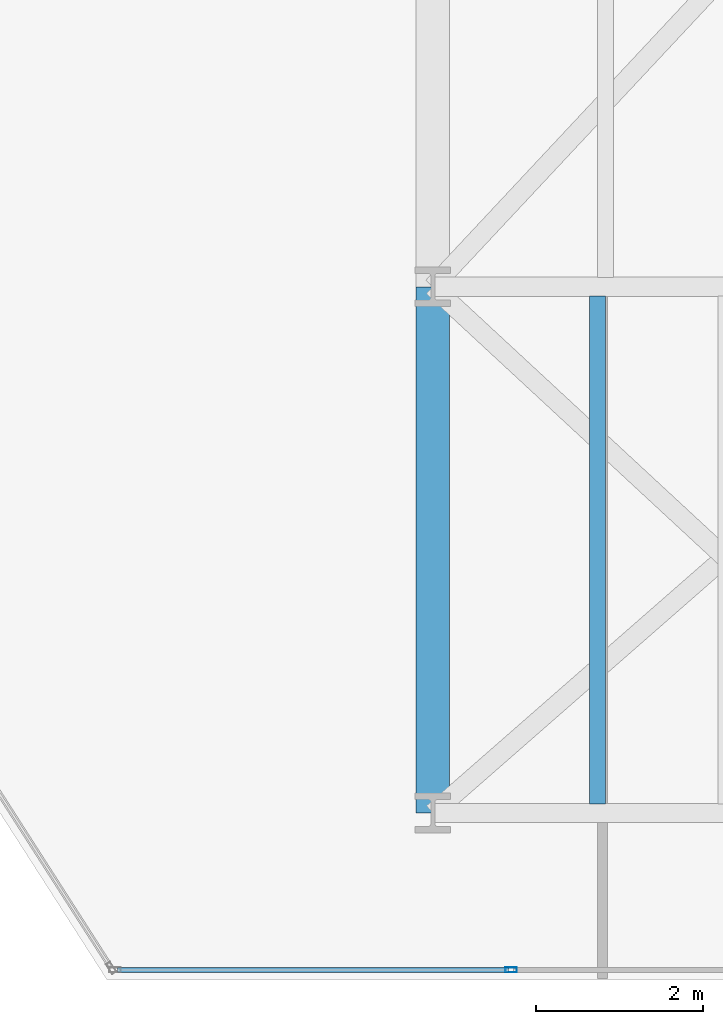
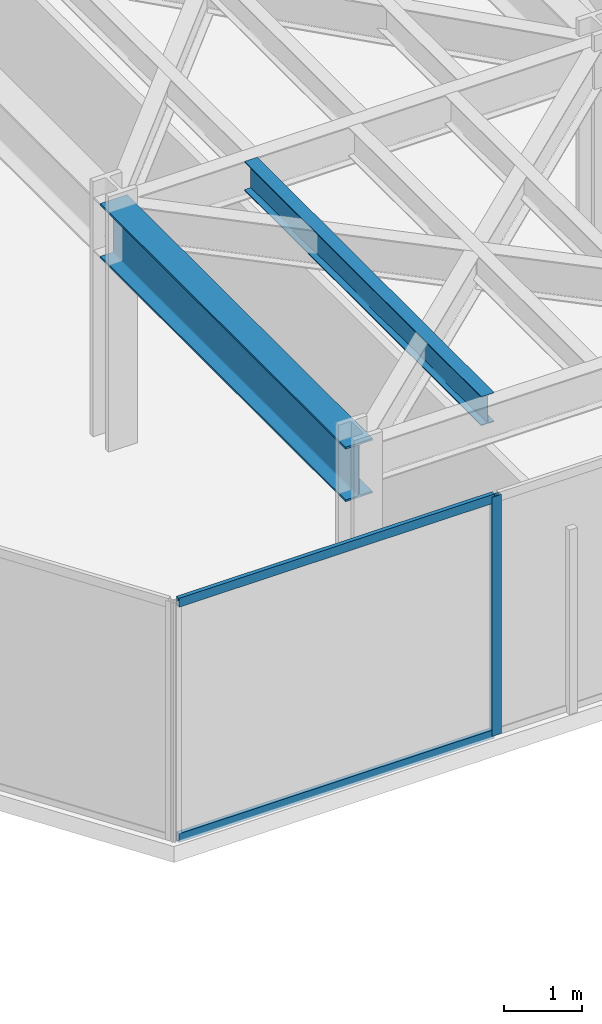
# One storey, part 16 of 26: 3 members, 2 beams, 1 element without a shape of its own.
"""IFC4 building model written with IfcOpenShell, lengths in metres."""

from ifc_helpers import new_model, si_unit, direction, frame, origin, origin_2d, place, context, subcontext, project, spatial, hollow_rectangle, i_section, extrude, material, layer, layer_set, material_profile, profile_set, type_object, element, aggregate, save


model = new_model("IFC4")

# Units and contexts
model_context = context("Model", 3, precision=1e-05, world=origin(), true_north=direction((0.0, 1.0)))
body_context = subcontext(model_context, "Body", "Model", "MODEL_VIEW")
ifc_project = project(units=[si_unit("LENGTHUNIT", "METRE"), si_unit("AREAUNIT", "SQUARE_METRE"), si_unit("VOLUMEUNIT", "CUBIC_METRE"), si_unit("PLANEANGLEUNIT", "RADIAN"), si_unit("MASSUNIT", "GRAM", prefix="KILO")], contexts=[model_context])

# Site, building, storey
site_placement = place(None, origin())
site = spatial("IfcSite", under=ifc_project, at=site_placement, CompositionType="ELEMENT")
building_placement = place(site_placement, origin())
building = spatial("IfcBuilding", under=site, at=building_placement, Name="Kravanh Interchange Tower", CompositionType="ELEMENT")
storey_placement = place(building_placement, frame((0.0, 0.0, 100.0)))
storey = spatial("IfcBuildingStorey", under=building, at=storey_placement, Name="L23", CompositionType="ELEMENT", Elevation=100.0)

# Curtain wall, members
ifc_material_1 = material(Name="Anodised Bronze Aluminium", Category="aluminium")
ifc_layer = layer(ifc_material_1, 0.179931640625)
ifc_layer_set = layer_set([ifc_layer], Name="Unitised Curtain Wall System CW-Z2 Mid Office")
curtain_wall_type = type_object("IfcCurtainWallType", Name="Unitised Curtain Wall System CW-Z2 Mid Office", PredefinedType="NOTDEFINED", material=ifc_layer_set)
curtain_wall_placement = place(storey_placement, origin())
curtain_wall = element("IfcCurtainWall", 1, at=curtain_wall_placement, inside=storey, type_object=curtain_wall_type, Name="L23 Unitised Curtain Wall CW-L23-03", PredefinedType="NOTDEFINED")
ifc_material_2 = material(Name="Anodised Bronze Aluminium", Category="aluminium")
ifc_material_profile_1 = material_profile(ifc_material_2, hollow_rectangle(XDim=0.06005859375, YDim=0.139892578125, WallThickness=0.00390625, at=origin_2d()), Name="ALU60X140X4")
ifc_profile_set_1 = profile_set([ifc_material_profile_1], Name="Anodised Bronze Aluminium")
member_type_1 = type_object("IfcMemberType", Name="Curtain Wall Mullion ALU60X140X4 Bronze", PredefinedType="MULLION", material=ifc_profile_set_1)
member_1_placement = place(storey_placement, frame((56.93798828125, 6.320068359375, 0.0), z_axis=(0.0, 0.0, 1.0), x_axis=(0.0, -1.0, 0.0)))
member_1 = element("IfcMember", 2, at=member_1_placement, type_object=member_type_1, Name="CW-Z2 mullion 2", PredefinedType="MULLION", context=body_context, shape_type="SweptSolid", body=[
    extrude(hollow_rectangle(XDim=0.06005859375, YDim=0.139892578125, WallThickness=0.00390625, at=origin_2d()), origin(), (0.0, 0.0, 1.0), 3.75),
])
ifc_material_3 = material(Name="Anodised Bronze Aluminium", Category="aluminium")
ifc_material_profile_2 = material_profile(ifc_material_3, hollow_rectangle(XDim=0.06005859375, YDim=0.139892578125, WallThickness=0.00390625, at=origin_2d()), Name="ALU60X140X4")
ifc_profile_set_2 = profile_set([ifc_material_profile_2], Name="Anodised Bronze Aluminium")
member_type_2 = type_object("IfcMemberType", Name="Curtain Wall Transom ALU60X140X4 Bronze", PredefinedType="USERDEFINED", material=ifc_profile_set_2)
member_2_placement = place(storey_placement, frame((56.907958984375, 6.320068359375, 0.030029296875), z_axis=(-1.0, 0.0, 0.0), x_axis=(0.0, -1.0, 0.0)))
member_2 = element("IfcMember", 3, at=member_2_placement, type_object=member_type_2, Name="CW-Z2 transom 2.1", ObjectType="TRANSOM", PredefinedType="USERDEFINED", context=body_context, shape_type="SweptSolid", body=[
    extrude(hollow_rectangle(XDim=0.06005859375, YDim=0.139892578125, WallThickness=0.00390625, at=origin_2d()), origin(), (0.0, 0.0, 1.0), 4.682373046875),
])
member_3_placement = place(storey_placement, frame((56.907958984375, 6.320068359375, 3.719970703125), z_axis=(-1.0, 0.0, 0.0), x_axis=(0.0, -1.0, 0.0)))
member_3 = element("IfcMember", 4, at=member_3_placement, type_object=member_type_2, Name="CW-Z2 transom 2.2", ObjectType="TRANSOM", PredefinedType="USERDEFINED", context=body_context, shape_type="SweptSolid", body=[
    extrude(hollow_rectangle(XDim=0.06005859375, YDim=0.139892578125, WallThickness=0.00390625, at=origin_2d()), origin(), (0.0, 0.0, 1.0), 4.682373046875),
])
aggregate(curtain_wall, [member_1, member_2, member_3])

# Beams
ifc_material_4 = material(Name="Structural Steel S355", Category="steel")
ifc_material_profile_3 = material_profile(ifc_material_4, i_section(OverallWidth=0.39990234375, OverallDepth=0.85595703125, WebThickness=0.018310546875, FlangeThickness=0.029296875, FilletRadius=0.02490234375, at=origin_2d()), Name="W33X201")
ifc_profile_set_3 = profile_set([ifc_material_profile_3], Name="Structural Steel S355")
beam_type_1 = type_object("IfcBeamType", Name="Floor Beam W33X201 Structural Steel S355", PredefinedType="BEAM", material=ifc_profile_set_3)
beam_1_placement = place(storey_placement, frame((56.0, 8.199951171875, 3.322021484375), z_axis=(0.0, 1.0, 0.0), x_axis=(-1.0, 0.0, 0.0)))
element("IfcBeam", 5, at=beam_1_placement, inside=storey, type_object=beam_type_1, Name="L23 Primary Floor Girder 95", PredefinedType="BEAM", context=body_context, shape_type="SweptSolid", body=[
    extrude(i_section(OverallWidth=0.39990234375, OverallDepth=0.85595703125, WebThickness=0.018310546875, FlangeThickness=0.029296875, FilletRadius=0.02490234375, at=origin_2d()), origin(), (0.0, 0.0, 1.0), 6.300048828125),
])
ifc_material_5 = material(Name="Structural Steel S355", Category="steel")
ifc_material_profile_4 = material_profile(ifc_material_5, i_section(OverallWidth=0.18994140625, OverallDepth=0.45703125, WebThickness=0.009033203125, FlangeThickness=0.014404296875, FilletRadius=0.01806640625, at=origin_2d()), Name="W18X50")
ifc_profile_set_4 = profile_set([ifc_material_profile_4], Name="Structural Steel S355")
beam_type_2 = type_object("IfcBeamType", Name="Floor Joist W18X50 Structural Steel S355", PredefinedType="JOIST", material=ifc_profile_set_4)
beam_2_placement = place(storey_placement, frame((57.969970703125, 8.30908203125, 3.521484375), z_axis=(0.0, 1.0, 0.0), x_axis=(-1.0, 0.0, 0.0)))
element("IfcBeam", 6, at=beam_2_placement, inside=storey, type_object=beam_type_2, Name="L23 Secondary Floor Joist 4", PredefinedType="JOIST", context=body_context, shape_type="SweptSolid", body=[
    extrude(i_section(OverallWidth=0.18994140625, OverallDepth=0.45703125, WebThickness=0.009033203125, FlangeThickness=0.014404296875, FilletRadius=0.01806640625, at=origin_2d()), origin(), (0.0, 0.0, 1.0), 6.08203125),
])

save(model, "model.ifc")
